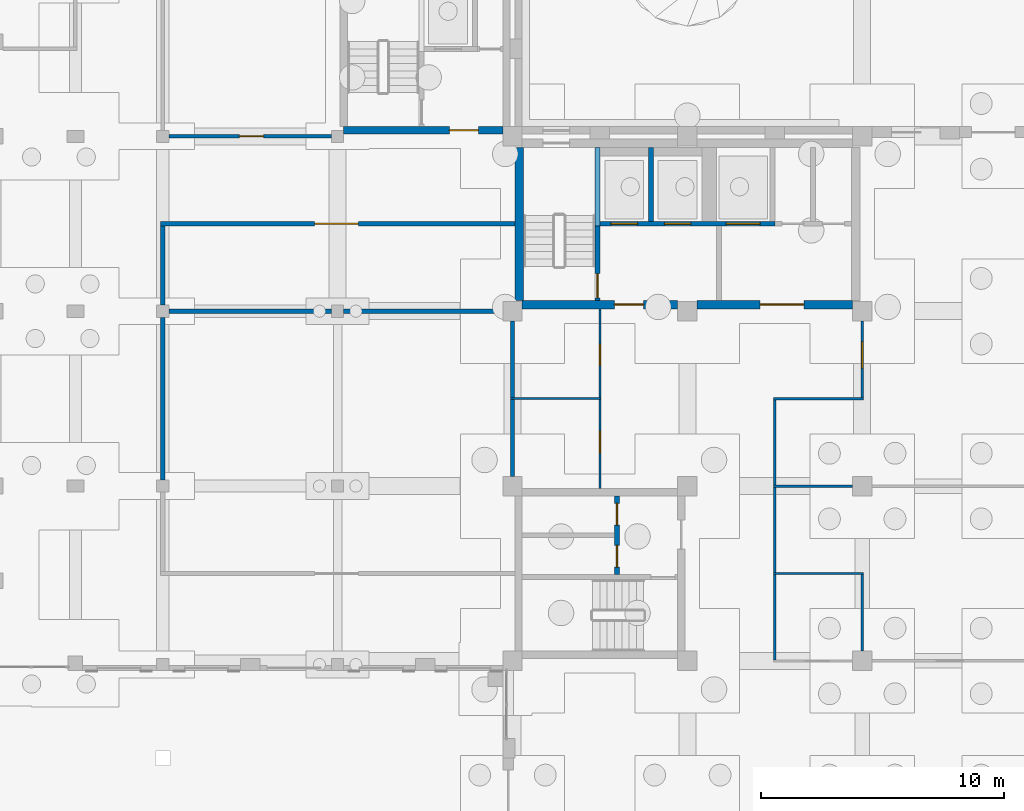
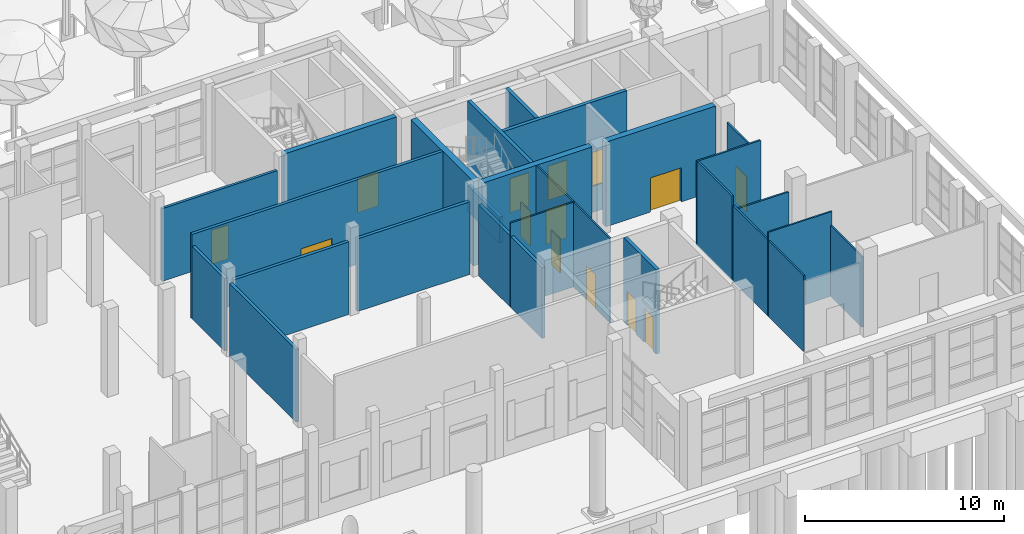
# One storey, part 45 of 80: 28 walls, 14 doors, 14 openings.
"""IFC4 building model written with IfcOpenShell, lengths in metres."""

from ifc_helpers import new_model, si_unit, direction, frame, frame_2d, origin, place, context, subcontext, project, spatial, rectangle, extrude, material, layer, layer_set, type_object, element, fill, save


model = new_model("IFC4")

# Units and contexts
model_context = context("Model", 3, precision=1e-05, world=origin(), true_north=direction((0.0, 1.0)))
body_context = subcontext(model_context, "Body", "Model", "MODEL_VIEW")
ifc_project = project(units=[si_unit("LENGTHUNIT", "METRE"), si_unit("AREAUNIT", "SQUARE_METRE"), si_unit("VOLUMEUNIT", "CUBIC_METRE"), si_unit("PLANEANGLEUNIT", "RADIAN"), si_unit("MASSUNIT", "GRAM", prefix="KILO")], contexts=[model_context])

# Site, building, storey
site_placement = place(None, origin())
site = spatial("IfcSite", under=ifc_project, at=site_placement, CompositionType="ELEMENT")
building_placement = place(site_placement, origin())
building = spatial("IfcBuilding", under=site, at=building_placement, Name="Ussher Court Research Institute", CompositionType="ELEMENT")
storey_placement = place(building_placement, origin())
storey = spatial("IfcBuildingStorey", under=building, at=storey_placement, Name="L00", CompositionType="ELEMENT", Elevation=0.0)

# Walls
ifc_material_1 = material(Name="Plasterboard on steel studs with mineral wool", Category="steel")
ifc_layer_1 = layer(ifc_material_1, 0.179931640625)
ifc_layer_set_1 = layer_set([ifc_layer_1], Name="Plasterboard on steel studs with mineral wool")
wall_type_1 = type_object("IfcWallType", Name="Acoustic twin-stud partition 180", PredefinedType="PARTITIONING", material=ifc_layer_set_1)
wall_1_placement = place(storey_placement, frame((68.050048828125, 25.60009765625, 0.0), z_axis=(0.0, 0.0, 1.0), x_axis=(1.0, 0.0, 0.0)))
element("IfcWall", 1, at=wall_1_placement, inside=storey, type_object=wall_type_1, Name="Partition", PredefinedType="PARTITIONING", context=body_context, shape_type="SweptSolid", body=[
    extrude(rectangle(XDim=6.699951171875, YDim=0.179931640625, at=frame_2d((3.35009765625, 0.0))), origin(), (0.0, 0.0, 1.0), 4.469970703125),
])
wall_2_placement = place(storey_placement, frame((75.25, 25.60009765625, 0.0), z_axis=(0.0, 0.0, 1.0), x_axis=(1.0, 0.0, 0.0)))
element("IfcWall", 2, at=wall_2_placement, inside=storey, type_object=wall_type_1, Name="Partition", PredefinedType="PARTITIONING", context=body_context, shape_type="SweptSolid", body=[
    extrude(rectangle(XDim=6.550048828125, YDim=0.179931640625, at=frame_2d((3.27490234375, 0.0))), origin(), (0.0, 0.0, 1.0), 4.469970703125),
])

# Wall, opening, door
wall_3_placement = place(storey_placement, frame((82.300048828125, 29.199951171875, 0.0), z_axis=(0.0, 0.0, 1.0), x_axis=(-1.0, 0.0, 0.0)))
wall_3 = element("IfcWall", 3, at=wall_3_placement, inside=storey, type_object=wall_type_1, Name="Partition", PredefinedType="PARTITIONING", context=body_context, shape_type="SweptSolid", body=[
    extrude(rectangle(XDim=14.590087890625, YDim=0.179931640625, at=frame_2d((7.294921875, 0.0))), origin(), (0.0, 0.0, 1.0), 5.199951171875),
])
opening_1_placement = place(wall_3_placement, frame((6.449951171875, 0.0, 0.0)))
opening_1 = element("IfcOpeningElement", 4, at=opening_1_placement, cuts=wall_3, Name="Opening D00059", PredefinedType="OPENING", context=body_context, shape_type="SweptSolid", body=[
    extrude(rectangle(XDim=1.800048828125, YDim=2.10009765625, at=frame_2d((0.89990234375, 1.050048828125))), frame((0.0, 0.10009765625, 0.0), z_axis=(0.0, -1.0, 0.0), x_axis=(1.0, 0.0, 0.0)), (0.0, 0.0, 1.0), 0.199951171875),
])
ifc_material_2 = material(Name="Veneered timber door", Category="wood")
door_type_1 = type_object("IfcDoorType", Name="Library door 1800x2100 double leaf", OperationType="DOUBLE_DOOR_SINGLE_SWING", PredefinedType="DOOR", material=ifc_material_2)
door_1_placement = place(opening_1_placement, origin())
door_1 = element("IfcDoor", 5, at=door_1_placement, inside=storey, type_object=door_type_1, Name="Door D00059", OperationType="SINGLE_SWING_LEFT", OverallHeight=2.10009765625, OverallWidth=1.800048828125, PredefinedType="DOOR", context=body_context, shape_type="SweptSolid", body=[
    extrude(rectangle(XDim=1.800048828125, YDim=2.10009765625, at=frame_2d((0.89990234375, 1.050048828125))), frame((0.0, 0.02490234375, 0.0), z_axis=(0.0, -1.0, 0.0), x_axis=(1.0, 0.0, 0.0)), (0.0, 0.0, 1.0), 0.050048828125),
])
fill(opening_1, door_1)

# Walls
wall_4_placement = place(storey_placement, frame((67.800048828125, 18.64990234375, 0.0), z_axis=(0.0, 0.0, 1.0), x_axis=(0.0, 1.0, 0.0)))
element("IfcWall", 6, at=wall_4_placement, inside=storey, type_object=wall_type_1, Name="Partition", PredefinedType="PARTITIONING", context=body_context, shape_type="SweptSolid", body=[
    extrude(rectangle(XDim=6.7001953125, YDim=0.179931640625, at=frame_2d((3.35009765625, 0.0))), origin(), (0.0, 0.0, 1.0), 4.469970703125),
])
wall_5_placement = place(storey_placement, frame((67.800048828125, 25.85009765625, 0.0), z_axis=(0.0, 0.0, 1.0), x_axis=(0.0, 1.0, 0.0)))
element("IfcWall", 7, at=wall_5_placement, inside=storey, type_object=wall_type_1, Name="Partition", PredefinedType="PARTITIONING", context=body_context, shape_type="SweptSolid", body=[
    extrude(rectangle(XDim=3.260009765625, YDim=0.179931640625, at=frame_2d((1.6298828125, 0.0))), origin(), (0.0, 0.0, 1.0), 4.469970703125),
])
for number, where, z_axis, x_axis, name in (
    (8, (82.199951171875, 18.800048828125, 0.0), (0.0, 0.0, 1.0), (0.0, 1.0, 0.0), "Partition"),
    (9, (82.199951171875, 22.044921875, 0.0), (0.0, 0.0, 1.0), (0.0, 1.0, 0.0), "Partition"),
):
    element("IfcWall", number, at=place(storey_placement, frame(where, z_axis=z_axis, x_axis=x_axis)), inside=storey, type_object=wall_type_1, Name=name, PredefinedType="PARTITIONING", context=body_context, shape_type="SweptSolid", body=[
        extrude(rectangle(XDim=3.155029296875, YDim=0.179931640625, at=frame_2d((1.57763671875, 0.0))), origin(), (0.0, 0.0, 1.0), 4.3701171875),
    ])

# Wall, opening, door
ifc_material_3 = material(Name="Plastered blockwork", Category="masonry")
ifc_layer_2 = layer(ifc_material_3, 0.14990234375)
ifc_layer_set_2 = layer_set([ifc_layer_2], Name="Plastered blockwork")
wall_type_2 = type_object("IfcWallType", Name="Fire partition blockwork 150 EI 60", PredefinedType="PARTITIONING", material=ifc_layer_set_2)
wall_6_placement = place(storey_placement, frame((68.050048828125, 32.800048828125, 0.0), z_axis=(0.0, 0.0, 1.0), x_axis=(1.0, 0.0, 0.0)))
wall_6 = element("IfcWall", 10, at=wall_6_placement, inside=storey, type_object=wall_type_2, Name="Fire partition", PredefinedType="PARTITIONING", context=body_context, shape_type="SweptSolid", body=[
    extrude(rectangle(XDim=6.699951171875, YDim=0.14990234375, at=frame_2d((3.35009765625, 0.0))), origin(), (0.0, 0.0, 1.0), 4.469970703125),
])
opening_2_placement = place(wall_6_placement, frame((2.89990234375, 0.0, 0.0)))
opening_2 = element("IfcOpeningElement", 11, at=opening_2_placement, cuts=wall_6, Name="Opening D00055", PredefinedType="OPENING", context=body_context, shape_type="SweptSolid", body=[
    extrude(rectangle(XDim=1.0, YDim=2.10009765625, at=frame_2d((0.5, 1.050048828125))), frame((0.0, 0.0849609375, 0.0), z_axis=(0.0, -1.0, 0.0), x_axis=(1.0, 0.0, 0.0)), (0.0, 0.0, 1.0), 0.169921875),
])
ifc_material_4 = material(Name="Painted steel faced fire door", Category="steel")
door_type_2 = type_object("IfcDoorType", Name="Store door 1000x2100 FD60", OperationType="NOTDEFINED", PredefinedType="DOOR", material=ifc_material_4)
door_2_placement = place(opening_2_placement, origin())
door_2 = element("IfcDoor", 12, at=door_2_placement, inside=storey, type_object=door_type_2, Name="Door D00055", OperationType="SINGLE_SWING_RIGHT", OverallHeight=2.10009765625, OverallWidth=1.0, PredefinedType="DOOR", context=body_context, shape_type="SweptSolid", body=[
    extrude(rectangle(XDim=1.0, YDim=2.10009765625, at=frame_2d((0.5, 1.050048828125))), frame((0.0, 0.02490234375, 0.0), z_axis=(0.0, -1.0, 0.0), x_axis=(1.0, 0.0, 0.0)), (0.0, 0.0, 1.0), 0.050048828125),
])
fill(opening_2, door_2)

# Walls
ifc_material_5 = material(Name="Plastered blockwork", Category="masonry")
ifc_layer_3 = layer(ifc_material_5, 0.10009765625)
ifc_layer_set_3 = layer_set([ifc_layer_3], Name="Plastered blockwork")
wall_type_3 = type_object("IfcWallType", Name="Partition plastered blockwork 100", PredefinedType="PARTITIONING", material=ifc_layer_set_3)
wall_7_placement = place(storey_placement, frame((92.949951171875, 18.39990234375, 0.0), z_axis=(0.0, 0.0, 1.0), x_axis=(1.0, 0.0, 0.0)))
element("IfcWall", 13, at=wall_7_placement, inside=storey, type_object=wall_type_3, Name="Partition", PredefinedType="PARTITIONING", context=body_context, shape_type="SweptSolid", body=[
    extrude(rectangle(XDim=3.25, YDim=0.10009765625, at=frame_2d((1.625, 0.0))), origin(), (0.0, 0.0, 1.0), 4.3701171875),
])
wall_8_placement = place(storey_placement, frame((92.949951171875, 22.0, 0.0), z_axis=(0.0, 0.0, 1.0), x_axis=(1.0, 0.0, 0.0)))
element("IfcWall", 14, at=wall_8_placement, inside=storey, type_object=wall_type_3, Name="Partition", PredefinedType="PARTITIONING", context=body_context, shape_type="SweptSolid", body=[
    extrude(rectangle(XDim=3.699951171875, YDim=0.10009765625, at=frame_2d((1.85009765625, 0.0))), origin(), (0.0, 0.0, 1.0), 5.199951171875),
])
wall_9_placement = place(storey_placement, frame((93.0, 14.844970703125, 0.0), z_axis=(0.0, 0.0, 1.0), x_axis=(0.0, 1.0, 0.0)))
element("IfcWall", 15, at=wall_9_placement, inside=storey, type_object=wall_type_3, Name="Partition", PredefinedType="PARTITIONING", context=body_context, shape_type="SweptSolid", body=[
    extrude(rectangle(XDim=3.505126953125, YDim=0.10009765625, at=frame_2d((1.75244140625, 0.0))), origin(), (0.0, 0.0, 1.0), 4.669921875),
])
wall_10_placement = place(storey_placement, frame((93.0, 18.449951171875, 0.0), z_axis=(0.0, 0.0, 1.0), x_axis=(0.0, 1.0, 0.0)))
element("IfcWall", 16, at=wall_10_placement, inside=storey, type_object=wall_type_3, Name="Partition", PredefinedType="PARTITIONING", context=body_context, shape_type="SweptSolid", body=[
    extrude(rectangle(XDim=3.5, YDim=0.10009765625, at=frame_2d((1.75, 0.0))), origin(), (0.0, 0.0, 1.0), 5.199951171875),
])

# Wall, opening, door
wall_11_placement = place(storey_placement, frame((96.60009765625, 25.199951171875, 0.0), z_axis=(0.0, 0.0, 1.0), x_axis=(0.0, -1.0, 0.0)))
wall_11 = element("IfcWall", 17, at=wall_11_placement, inside=storey, type_object=wall_type_3, Name="Partition", PredefinedType="PARTITIONING", context=body_context, shape_type="SweptSolid", body=[
    extrude(rectangle(XDim=3.14990234375, YDim=0.10009765625, at=frame_2d((1.574951171875, 0.0))), origin(), (0.0, 0.0, 1.0), 4.3701171875),
])
opening_3_placement = place(wall_11_placement, frame((0.85009765625, 0.0, 0.0)))
opening_3 = element("IfcOpeningElement", 18, at=opening_3_placement, cuts=wall_11, Name="Opening D00090", PredefinedType="OPENING", context=body_context, shape_type="SweptSolid", body=[
    extrude(rectangle(XDim=1.10009765625, YDim=2.199951171875, at=frame_2d((0.550048828125, 1.10009765625))), frame((0.0, 0.06005859375, 0.0), z_axis=(0.0, -1.0, 0.0), x_axis=(1.0, 0.0, 0.0)), (0.0, 0.0, 1.0), 0.1201171875),
])
ifc_material_6 = material(Name="Veneered timber door", Category="wood")
door_type_3 = type_object("IfcDoorType", Name="Reception door 1100x2200", OperationType="NOTDEFINED", PredefinedType="DOOR", material=ifc_material_6)
door_3_placement = place(opening_3_placement, origin())
door_3 = element("IfcDoor", 19, at=door_3_placement, inside=storey, type_object=door_type_3, Name="Door D00090", OperationType="SINGLE_SWING_LEFT", OverallHeight=2.199951171875, OverallWidth=1.10009765625, PredefinedType="DOOR", context=body_context, shape_type="SweptSolid", body=[
    extrude(rectangle(XDim=1.10009765625, YDim=2.199951171875, at=frame_2d((0.550048828125, 1.10009765625))), frame((0.0, 0.02490234375, 0.0), z_axis=(0.0, -1.0, 0.0), x_axis=(1.0, 0.0, 0.0)), (0.0, 0.0, 1.0), 0.050048828125),
])
fill(opening_3, door_3)

ifc_material_7 = material(Name="Concrete C35/45", Category="concrete")
ifc_layer_4 = layer(ifc_material_7, 0.199951171875)
ifc_layer_set_4 = layer_set([ifc_layer_4], Name="Concrete C35/45")
wall_type_4 = type_object("IfcWallType", Name="RC core wall 200", PredefinedType="SHEAR", material=ifc_layer_set_4)
wall_12_placement = place(storey_placement, frame((85.699951171875, 26.050048828125, 0.0), z_axis=(0.0, 0.0, 1.0), x_axis=(0.0, 1.0, 0.0)))
wall_12 = element("IfcWall", 20, at=wall_12_placement, inside=storey, type_object=wall_type_4, Name="Core wall T1", PredefinedType="SHEAR", context=body_context, shape_type="SweptSolid", body=[
    extrude(rectangle(XDim=6.300048828125, YDim=0.199951171875, at=frame_2d((3.14990234375, 0.0))), origin(), (0.0, 0.0, 1.0), 5.199951171875),
])
opening_4_placement = place(wall_12_placement, frame((0.10009765625, 0.0, 0.0)))
opening_4 = element("IfcOpeningElement", 21, at=opening_4_placement, cuts=wall_12, Name="Opening D00073", PredefinedType="OPENING", context=body_context, shape_type="SweptSolid", body=[
    extrude(rectangle(XDim=1.0, YDim=2.10009765625, at=frame_2d((0.5, 1.050048828125))), frame((0.0, 0.10986328125, 0.0), z_axis=(0.0, -1.0, 0.0), x_axis=(1.0, 0.0, 0.0)), (0.0, 0.0, 1.0), 0.219970703125),
])
ifc_material_8 = material(Name="Painted steel faced fire door", Category="steel")
door_type_4 = type_object("IfcDoorType", Name="Fire door 1000x2100 FD60", OperationType="NOTDEFINED", PredefinedType="DOOR", material=ifc_material_8)
door_4_placement = place(opening_4_placement, origin())
door_4 = element("IfcDoor", 22, at=door_4_placement, inside=storey, type_object=door_type_4, Name="Door D00073", OperationType="SINGLE_SWING_LEFT", OverallHeight=2.10009765625, OverallWidth=1.0, PredefinedType="DOOR", context=body_context, shape_type="SweptSolid", body=[
    extrude(rectangle(XDim=1.0, YDim=2.10009765625, at=frame_2d((0.5, 1.050048828125))), frame((0.0, 0.02490234375, 0.0), z_axis=(0.0, -1.0, 0.0), x_axis=(1.0, 0.0, 0.0)), (0.0, 0.0, 1.0), 0.050048828125),
])
fill(opening_4, door_4)

# Wall
wall_13_placement = place(storey_placement, frame((85.699951171875, 29.10009765625, -1.60009765625), z_axis=(0.0, 0.0, 1.0), x_axis=(0.0, 1.0, 0.0)))
element("IfcWall", 23, at=wall_13_placement, inside=storey, type_object=wall_type_4, Name="Pit wall T1", PredefinedType="SHEAR", context=body_context, shape_type="SweptSolid", body=[
    extrude(rectangle(XDim=3.25, YDim=0.199951171875, at=frame_2d((1.625, 0.0))), origin(), (0.0, 0.0, 1.0), 1.60009765625),
])

# Wall, openings, doors
wall_14_placement = place(storey_placement, frame((93.0, 29.199951171875, -1.60009765625), z_axis=(0.0, 0.0, 1.0), x_axis=(-1.0, 0.0, 0.0)))
wall_14 = element("IfcWall", 24, at=wall_14_placement, inside=storey, type_object=wall_type_4, Name="Core wall T1", PredefinedType="SHEAR", context=body_context, shape_type="SweptSolid", body=[
    extrude(rectangle(XDim=7.199951171875, YDim=0.199951171875, at=frame_2d((3.60009765625, 0.0))), origin(), (0.0, 0.0, 1.0), 6.800048828125),
])
opening_5_placement = place(wall_14_placement, frame((5.64990234375, 0.0, 1.60009765625)))
opening_5 = element("IfcOpeningElement", 25, at=opening_5_placement, cuts=wall_14, Name="Opening LD11", PredefinedType="OPENING", context=body_context, shape_type="SweptSolid", body=[
    extrude(rectangle(XDim=1.10009765625, YDim=2.10009765625, at=frame_2d((0.550048828125, 1.050048828125))), frame((0.0, 0.10986328125, 0.0), z_axis=(0.0, -1.0, 0.0), x_axis=(1.0, 0.0, 0.0)), (0.0, 0.0, 1.0), 0.219970703125),
])
opening_6_placement = place(wall_14_placement, frame((3.449951171875, 0.0, 1.60009765625)))
opening_6 = element("IfcOpeningElement", 26, at=opening_6_placement, cuts=wall_14, Name="Opening LD12", PredefinedType="OPENING", context=body_context, shape_type="SweptSolid", body=[
    extrude(rectangle(XDim=1.10009765625, YDim=2.10009765625, at=frame_2d((0.550048828125, 1.050048828125))), frame((0.0, 0.10986328125, 0.0), z_axis=(0.0, -1.0, 0.0), x_axis=(1.0, 0.0, 0.0)), (0.0, 0.0, 1.0), 0.219970703125),
])
opening_7_placement = place(wall_14_placement, frame((0.60009765625, 0.0, 1.60009765625)))
opening_7 = element("IfcOpeningElement", 27, at=opening_7_placement, cuts=wall_14, Name="Opening LD13", PredefinedType="OPENING", context=body_context, shape_type="SweptSolid", body=[
    extrude(rectangle(XDim=1.39990234375, YDim=2.10009765625, at=frame_2d((0.699951171875, 1.050048828125))), frame((0.0, 0.10986328125, 0.0), z_axis=(0.0, -1.0, 0.0), x_axis=(1.0, 0.0, 0.0)), (0.0, 0.0, 1.0), 0.219970703125),
])
ifc_material_9 = material(Name="Stainless steel lift door", Category="steel")
door_type_5 = type_object("IfcDoorType", Name="Lift landing door 1100x2100 sliding", OperationType="DOUBLE_DOOR_SLIDING", PredefinedType="DOOR", material=ifc_material_9)
door_5_placement = place(opening_5_placement, origin())
door_5 = element("IfcDoor", 28, at=door_5_placement, inside=storey, type_object=door_type_5, Name="Landing door T1-1 L00", OperationType="DOUBLE_DOOR_SLIDING", OverallHeight=2.10009765625, OverallWidth=1.10009765625, PredefinedType="DOOR", context=body_context, shape_type="SweptSolid", body=[
    extrude(rectangle(XDim=1.10009765625, YDim=2.10009765625, at=frame_2d((0.550048828125, 1.050048828125))), frame((0.0, 0.02490234375, 0.0), z_axis=(0.0, -1.0, 0.0), x_axis=(1.0, 0.0, 0.0)), (0.0, 0.0, 1.0), 0.050048828125),
])
fill(opening_5, door_5)
door_6_placement = place(opening_6_placement, origin())
door_6 = element("IfcDoor", 29, at=door_6_placement, inside=storey, type_object=door_type_5, Name="Landing door T1-2 L00", OperationType="DOUBLE_DOOR_SLIDING", OverallHeight=2.10009765625, OverallWidth=1.10009765625, PredefinedType="DOOR", context=body_context, shape_type="SweptSolid", body=[
    extrude(rectangle(XDim=1.10009765625, YDim=2.10009765625, at=frame_2d((0.550048828125, 1.050048828125))), frame((0.0, 0.02490234375, 0.0), z_axis=(0.0, -1.0, 0.0), x_axis=(1.0, 0.0, 0.0)), (0.0, 0.0, 1.0), 0.050048828125),
])
fill(opening_6, door_6)
ifc_material_10 = material(Name="Stainless steel lift door", Category="steel")
door_type_6 = type_object("IfcDoorType", Name="Lift landing door 1400x2100 sliding", OperationType="DOUBLE_DOOR_SLIDING", PredefinedType="DOOR", material=ifc_material_10)
door_7_placement = place(opening_7_placement, origin())
door_7 = element("IfcDoor", 30, at=door_7_placement, inside=storey, type_object=door_type_6, Name="Landing door T1-3 L00", OperationType="DOUBLE_DOOR_SLIDING", OverallHeight=2.10009765625, OverallWidth=1.39990234375, PredefinedType="DOOR", context=body_context, shape_type="SweptSolid", body=[
    extrude(rectangle(XDim=1.39990234375, YDim=2.10009765625, at=frame_2d((0.699951171875, 1.050048828125))), frame((0.0, 0.02490234375, 0.0), z_axis=(0.0, -1.0, 0.0), x_axis=(1.0, 0.0, 0.0)), (0.0, 0.0, 1.0), 0.050048828125),
])
fill(opening_7, door_7)

# Wall
wall_15_placement = place(storey_placement, frame((87.89990234375, 29.300048828125, -1.60009765625), z_axis=(0.0, 0.0, 1.0), x_axis=(0.0, 1.0, 0.0)))
element("IfcWall", 31, at=wall_15_placement, inside=storey, type_object=wall_type_4, Name="Core wall T1", PredefinedType="SHEAR", context=body_context, shape_type="SweptSolid", body=[
    extrude(rectangle(XDim=3.050048828125, YDim=0.199951171875, at=frame_2d((1.52490234375, 0.0))), origin(), (0.0, 0.0, 1.0), 6.800048828125),
])

# Wall, openings, doors
wall_16_placement = place(storey_placement, frame((86.5, 18.0, 0.0), z_axis=(0.0, 0.0, 1.0), x_axis=(0.0, -1.0, 0.0)))
wall_16 = element("IfcWall", 32, at=wall_16_placement, inside=storey, type_object=wall_type_4, Name="Core wall T2", PredefinedType="SHEAR", context=body_context, shape_type="SweptSolid", body=[
    extrude(rectangle(XDim=3.25, YDim=0.199951171875, at=frame_2d((1.625, 0.0))), origin(), (0.0, 0.0, 1.0), 5.199951171875),
])
opening_8_placement = place(wall_16_placement, frame((2.03759765625, 0.0, 0.0)))
opening_8 = element("IfcOpeningElement", 33, at=opening_8_placement, cuts=wall_16, Name="Opening D00077", PredefinedType="OPENING", context=body_context, shape_type="SweptSolid", body=[
    extrude(rectangle(XDim=0.89990234375, YDim=2.10009765625, at=frame_2d((0.449951171875, 1.050048828125))), frame((0.0, 0.10986328125, 0.0), z_axis=(0.0, -1.0, 0.0), x_axis=(1.0, 0.0, 0.0)), (0.0, 0.0, 1.0), 0.219970703125),
])
opening_9_placement = place(wall_16_placement, frame((0.3125, 0.0, 0.0)))
opening_9 = element("IfcOpeningElement", 34, at=opening_9_placement, cuts=wall_16, Name="Opening D00078", PredefinedType="OPENING", context=body_context, shape_type="SweptSolid", body=[
    extrude(rectangle(XDim=0.89990234375, YDim=2.10009765625, at=frame_2d((0.449951171875, 1.050048828125))), frame((0.0, 0.10986328125, 0.0), z_axis=(0.0, -1.0, 0.0), x_axis=(1.0, 0.0, 0.0)), (0.0, 0.0, 1.0), 0.219970703125),
])
ifc_material_11 = material(Name="Painted steel faced fire door", Category="steel")
door_type_7 = type_object("IfcDoorType", Name="Fire door 900x2100 FD60", OperationType="NOTDEFINED", PredefinedType="DOOR", material=ifc_material_11)
door_8_placement = place(opening_8_placement, origin())
door_8 = element("IfcDoor", 35, at=door_8_placement, inside=storey, type_object=door_type_7, Name="Door D00077", OperationType="SINGLE_SWING_RIGHT", OverallHeight=2.10009765625, OverallWidth=0.89990234375, PredefinedType="DOOR", context=body_context, shape_type="SweptSolid", body=[
    extrude(rectangle(XDim=0.89990234375, YDim=2.10009765625, at=frame_2d((0.449951171875, 1.050048828125))), frame((0.0, 0.02490234375, 0.0), z_axis=(0.0, -1.0, 0.0), x_axis=(1.0, 0.0, 0.0)), (0.0, 0.0, 1.0), 0.050048828125),
])
fill(opening_8, door_8)
door_9_placement = place(opening_9_placement, origin())
door_9 = element("IfcDoor", 36, at=door_9_placement, inside=storey, type_object=door_type_7, Name="Door D00078", OperationType="SINGLE_SWING_LEFT", OverallHeight=2.10009765625, OverallWidth=0.89990234375, PredefinedType="DOOR", context=body_context, shape_type="SweptSolid", body=[
    extrude(rectangle(XDim=0.89990234375, YDim=2.10009765625, at=frame_2d((0.449951171875, 1.050048828125))), frame((0.0, 0.02490234375, 0.0), z_axis=(0.0, -1.0, 0.0), x_axis=(1.0, 0.0, 0.0)), (0.0, 0.0, 1.0), 0.050048828125),
])
fill(opening_9, door_9)

# Wall, opening, door
ifc_material_12 = material(Name="Concrete C35/45", Category="concrete")
ifc_layer_5 = layer(ifc_material_12, 0.300048828125)
ifc_layer_set_5 = layer_set([ifc_layer_5], Name="Concrete C35/45")
wall_type_5 = type_object("IfcWallType", Name="RC core wall 300", PredefinedType="SHEAR", material=ifc_layer_set_5)
wall_17_placement = place(storey_placement, frame((75.25, 33.050048828125, 0.0), z_axis=(0.0, 0.0, 1.0), x_axis=(1.0, 0.0, 0.0)))
wall_17 = element("IfcWall", 37, at=wall_17_placement, inside=storey, type_object=wall_type_5, Name="Core wall E1", PredefinedType="SHEAR", context=body_context, shape_type="SweptSolid", body=[
    extrude(rectangle(XDim=6.550048828125, YDim=0.300048828125, at=frame_2d((3.27490234375, 0.0))), origin(), (0.0, 0.0, 1.0), 5.199951171875),
])
opening_10_placement = place(wall_17_placement, frame((4.35009765625, 0.0, 0.0)))
opening_10 = element("IfcOpeningElement", 38, at=opening_10_placement, cuts=wall_17, Name="Opening D00066", PredefinedType="OPENING", context=body_context, shape_type="SweptSolid", body=[
    extrude(rectangle(XDim=1.199951171875, YDim=2.10009765625, at=frame_2d((0.60009765625, 1.050048828125))), frame((0.0, 0.16015625, 0.0), z_axis=(0.0, -1.0, 0.0), x_axis=(1.0, 0.0, 0.0)), (0.0, 0.0, 1.0), 0.320068359375),
])
ifc_material_13 = material(Name="Painted steel faced fire door", Category="steel")
door_type_8 = type_object("IfcDoorType", Name="Fire door 1200x2100 FD60", OperationType="NOTDEFINED", PredefinedType="DOOR", material=ifc_material_13)
door_10_placement = place(opening_10_placement, origin())
door_10 = element("IfcDoor", 39, at=door_10_placement, inside=storey, type_object=door_type_8, Name="Door D00066", OperationType="SINGLE_SWING_RIGHT", OverallHeight=2.10009765625, OverallWidth=1.199951171875, PredefinedType="DOOR", context=body_context, shape_type="SweptSolid", body=[
    extrude(rectangle(XDim=1.199951171875, YDim=2.10009765625, at=frame_2d((0.60009765625, 1.050048828125))), frame((0.0, 0.02490234375, 0.0), z_axis=(0.0, -1.0, 0.0), x_axis=(1.0, 0.0, 0.0)), (0.0, 0.0, 1.0), 0.050048828125),
])
fill(opening_10, door_10)

ifc_material_14 = material(Name="Concrete C35/45", Category="concrete")
ifc_layer_6 = layer(ifc_material_14, 0.35009765625)
ifc_layer_set_6 = layer_set([ifc_layer_6], Name="Concrete C35/45")
wall_type_6 = type_object("IfcWallType", Name="RC core wall 350", PredefinedType="SHEAR", material=ifc_layer_set_6)
wall_18_placement = place(storey_placement, frame((82.60009765625, 25.875, 0.0), z_axis=(0.0, 0.0, 1.0), x_axis=(1.0, 0.0, 0.0)))
wall_18 = element("IfcWall", 40, at=wall_18_placement, inside=storey, type_object=wall_type_6, Name="Core wall T1", PredefinedType="SHEAR", context=body_context, shape_type="SweptSolid", body=[
    extrude(rectangle(XDim=6.39990234375, YDim=0.35009765625, at=frame_2d((3.199951171875, 0.0))), origin(), (0.0, 0.0, 1.0), 5.199951171875),
])
opening_11_placement = place(wall_18_placement, frame((3.800048828125, 0.0, 0.0)))
opening_11 = element("IfcOpeningElement", 41, at=opening_11_placement, cuts=wall_18, Name="Opening D00079", PredefinedType="OPENING", context=body_context, shape_type="SweptSolid", body=[
    extrude(rectangle(XDim=1.199951171875, YDim=2.10009765625, at=frame_2d((0.60009765625, 1.050048828125))), frame((0.0, 0.18505859375, 0.0), z_axis=(0.0, -1.0, 0.0), x_axis=(1.0, 0.0, 0.0)), (0.0, 0.0, 1.0), 0.3701171875),
])
door_11_placement = place(opening_11_placement, origin())
door_11 = element("IfcDoor", 42, at=door_11_placement, inside=storey, type_object=door_type_8, Name="Door D00079", OperationType="SINGLE_SWING_RIGHT", OverallHeight=2.10009765625, OverallWidth=1.199951171875, PredefinedType="DOOR", context=body_context, shape_type="SweptSolid", body=[
    extrude(rectangle(XDim=1.199951171875, YDim=2.10009765625, at=frame_2d((0.60009765625, 1.050048828125))), frame((0.0, 0.02490234375, 0.0), z_axis=(0.0, -1.0, 0.0), x_axis=(1.0, 0.0, 0.0)), (0.0, 0.0, 1.0), 0.050048828125),
])
fill(opening_11, door_11)

wall_19_placement = place(storey_placement, frame((89.800048828125, 25.875, 0.0), z_axis=(0.0, 0.0, 1.0), x_axis=(1.0, 0.0, 0.0)))
wall_19 = element("IfcWall", 43, at=wall_19_placement, inside=storey, type_object=wall_type_6, Name="Core wall T1", PredefinedType="SHEAR", context=body_context, shape_type="SweptSolid", body=[
    extrude(rectangle(XDim=6.39990234375, YDim=0.35009765625, at=frame_2d((3.199951171875, 0.0))), origin(), (0.0, 0.0, 1.0), 5.199951171875),
])
opening_12_placement = place(wall_19_placement, frame((2.60009765625, 0.0, 0.0)))
opening_12 = element("IfcOpeningElement", 44, at=opening_12_placement, cuts=wall_19, Name="Opening D00086", PredefinedType="OPENING", context=body_context, shape_type="SweptSolid", body=[
    extrude(rectangle(XDim=1.800048828125, YDim=2.10009765625, at=frame_2d((0.89990234375, 1.050048828125))), frame((0.0, 0.18505859375, 0.0), z_axis=(0.0, -1.0, 0.0), x_axis=(1.0, 0.0, 0.0)), (0.0, 0.0, 1.0), 0.3701171875),
])
ifc_material_15 = material(Name="Painted steel faced fire door", Category="steel")
door_type_9 = type_object("IfcDoorType", Name="Fire door 1800x2100 FD60 double leaf", OperationType="DOUBLE_DOOR_SINGLE_SWING", PredefinedType="DOOR", material=ifc_material_15)
door_12_placement = place(opening_12_placement, origin())
door_12 = element("IfcDoor", 45, at=door_12_placement, inside=storey, type_object=door_type_9, Name="Door D00086", OperationType="SINGLE_SWING_LEFT", OverallHeight=2.10009765625, OverallWidth=1.800048828125, PredefinedType="DOOR", context=body_context, shape_type="SweptSolid", body=[
    extrude(rectangle(XDim=1.800048828125, YDim=2.10009765625, at=frame_2d((0.89990234375, 1.050048828125))), frame((0.0, 0.02490234375, 0.0), z_axis=(0.0, -1.0, 0.0), x_axis=(1.0, 0.0, 0.0)), (0.0, 0.0, 1.0), 0.050048828125),
])
fill(opening_12, door_12)

# Walls
wall_20_placement = place(storey_placement, frame((82.47509765625, 26.050048828125, 0.0), z_axis=(0.0, 0.0, 1.0), x_axis=(0.0, 1.0, 0.0)))
element("IfcWall", 46, at=wall_20_placement, inside=storey, type_object=wall_type_6, Name="Core wall T1", PredefinedType="SHEAR", context=body_context, shape_type="SweptSolid", body=[
    extrude(rectangle(XDim=6.300048828125, YDim=0.35009765625, at=frame_2d((3.14990234375, 0.0))), origin(), (0.0, 0.0, 1.0), 5.199951171875),
])
ifc_material_16 = material(Name="Moisture-resistant board on steel studs", Category="steel")
ifc_layer_7 = layer(ifc_material_16, 0.090087890625)
ifc_layer_set_7 = layer_set([ifc_layer_7], Name="Moisture-resistant board on steel studs")
wall_type_7 = type_object("IfcWallType", Name="WC lining partition 90", PredefinedType="PARTITIONING", material=ifc_layer_set_7)
wall_21_placement = place(storey_placement, frame((92.949951171875, 14.800048828125, 0.0), z_axis=(0.0, 0.0, 1.0), x_axis=(1.0, 0.0, 0.0)))
element("IfcWall", 47, at=wall_21_placement, inside=storey, type_object=wall_type_7, Name="Partition", PredefinedType="PARTITIONING", context=body_context, shape_type="SweptSolid", body=[
    extrude(rectangle(XDim=3.695068359375, YDim=0.090087890625, at=frame_2d((1.84765625, 0.0))), origin(), (0.0, 0.0, 1.0), 5.199951171875),
])
wall_22_placement = place(storey_placement, frame((82.110107421875, 22.0, 0.0), z_axis=(0.0, 0.0, 1.0), x_axis=(1.0, 0.0, 0.0)))
element("IfcWall", 48, at=wall_22_placement, inside=storey, type_object=wall_type_7, Name="Partition", PredefinedType="PARTITIONING", context=body_context, shape_type="SweptSolid", body=[
    extrude(rectangle(XDim=3.73486328125, YDim=0.090087890625, at=frame_2d((1.867431640625, 0.0))), origin(), (0.0, 0.0, 1.0), 5.199951171875),
])

# Wall, opening, door
wall_23_placement = place(storey_placement, frame((85.800048828125, 18.300048828125, 0.0), z_axis=(0.0, 0.0, 1.0), x_axis=(0.0, 1.0, 0.0)))
wall_23 = element("IfcWall", 49, at=wall_23_placement, inside=storey, type_object=wall_type_7, Name="Partition", PredefinedType="PARTITIONING", context=body_context, shape_type="SweptSolid", body=[
    extrude(rectangle(XDim=3.655029296875, YDim=0.090087890625, at=frame_2d((1.82763671875, 0.0))), origin(), (0.0, 0.0, 1.0), 5.199951171875),
])
opening_13_placement = place(wall_23_placement, frame((1.449951171875, 0.0, 0.0)))
opening_13 = element("IfcOpeningElement", 50, at=opening_13_placement, cuts=wall_23, Name="Opening D00074", PredefinedType="OPENING", context=body_context, shape_type="SweptSolid", body=[
    extrude(rectangle(XDim=0.89990234375, YDim=2.10009765625, at=frame_2d((0.449951171875, 1.050048828125))), frame((0.0, 0.05517578125, 0.0), z_axis=(0.0, -1.0, 0.0), x_axis=(1.0, 0.0, 0.0)), (0.0, 0.0, 1.0), 0.110107421875),
])
ifc_material_17 = material(Name="Veneered timber door", Category="wood")
door_type_10 = type_object("IfcDoorType", Name="WC door 900x2100", OperationType="NOTDEFINED", PredefinedType="DOOR", material=ifc_material_17)
door_13_placement = place(opening_13_placement, origin())
door_13 = element("IfcDoor", 51, at=door_13_placement, inside=storey, type_object=door_type_10, Name="Door D00074", OperationType="SINGLE_SWING_RIGHT", OverallHeight=2.10009765625, OverallWidth=0.89990234375, PredefinedType="DOOR", context=body_context, shape_type="SweptSolid", body=[
    extrude(rectangle(XDim=0.89990234375, YDim=2.10009765625, at=frame_2d((0.449951171875, 1.050048828125))), frame((0.0, 0.02490234375, 0.0), z_axis=(0.0, -1.0, 0.0), x_axis=(1.0, 0.0, 0.0)), (0.0, 0.0, 1.0), 0.050048828125),
])
fill(opening_13, door_13)

wall_24_placement = place(storey_placement, frame((85.800048828125, 22.044921875, 0.0), z_axis=(0.0, 0.0, 1.0), x_axis=(0.0, 1.0, 0.0)))
wall_24 = element("IfcWall", 52, at=wall_24_placement, inside=storey, type_object=wall_type_7, Name="Partition", PredefinedType="PARTITIONING", context=body_context, shape_type="SweptSolid", body=[
    extrude(rectangle(XDim=3.655029296875, YDim=0.090087890625, at=frame_2d((1.82763671875, 0.0))), origin(), (0.0, 0.0, 1.0), 5.199951171875),
])
opening_14_placement = place(wall_24_placement, frame((1.304931640625, 0.0, 0.0)))
opening_14 = element("IfcOpeningElement", 53, at=opening_14_placement, cuts=wall_24, Name="Opening D00075", PredefinedType="OPENING", context=body_context, shape_type="SweptSolid", body=[
    extrude(rectangle(XDim=0.89990234375, YDim=2.10009765625, at=frame_2d((0.449951171875, 1.050048828125))), frame((0.0, 0.05517578125, 0.0), z_axis=(0.0, -1.0, 0.0), x_axis=(1.0, 0.0, 0.0)), (0.0, 0.0, 1.0), 0.110107421875),
])
door_14_placement = place(opening_14_placement, origin())
door_14 = element("IfcDoor", 54, at=door_14_placement, inside=storey, type_object=door_type_10, Name="Door D00075", OperationType="SINGLE_SWING_LEFT", OverallHeight=2.10009765625, OverallWidth=0.89990234375, PredefinedType="DOOR", context=body_context, shape_type="SweptSolid", body=[
    extrude(rectangle(XDim=0.89990234375, YDim=2.10009765625, at=frame_2d((0.449951171875, 1.050048828125))), frame((0.0, 0.02490234375, 0.0), z_axis=(0.0, -1.0, 0.0), x_axis=(1.0, 0.0, 0.0)), (0.0, 0.0, 1.0), 0.050048828125),
])
fill(opening_14, door_14)

# Walls
wall_25_placement = place(storey_placement, frame((93.0, 11.2451171875, 0.0), z_axis=(0.0, 0.0, 1.0), x_axis=(0.0, 1.0, 0.0)))
element("IfcWall", 55, at=wall_25_placement, inside=storey, type_object=wall_type_7, Name="Partition", PredefinedType="PARTITIONING", context=body_context, shape_type="SweptSolid", body=[
    extrude(rectangle(XDim=3.509765625, YDim=0.090087890625, at=frame_2d((1.7548828125, 0.0))), origin(), (0.0, 0.0, 1.0), 4.669921875),
])
wall_26_placement = place(storey_placement, frame((96.60009765625, 11.60009765625, 0.0), z_axis=(0.0, 0.0, 1.0), x_axis=(0.0, 1.0, 0.0)))
element("IfcWall", 56, at=wall_26_placement, inside=storey, type_object=wall_type_7, Name="Partition", PredefinedType="PARTITIONING", context=body_context, shape_type="SweptSolid", body=[
    extrude(rectangle(XDim=3.15478515625, YDim=0.090087890625, at=frame_2d((1.577392578125, 0.0))), origin(), (0.0, 0.0, 1.0), 4.3701171875),
])

save(model, "model.ifc")
